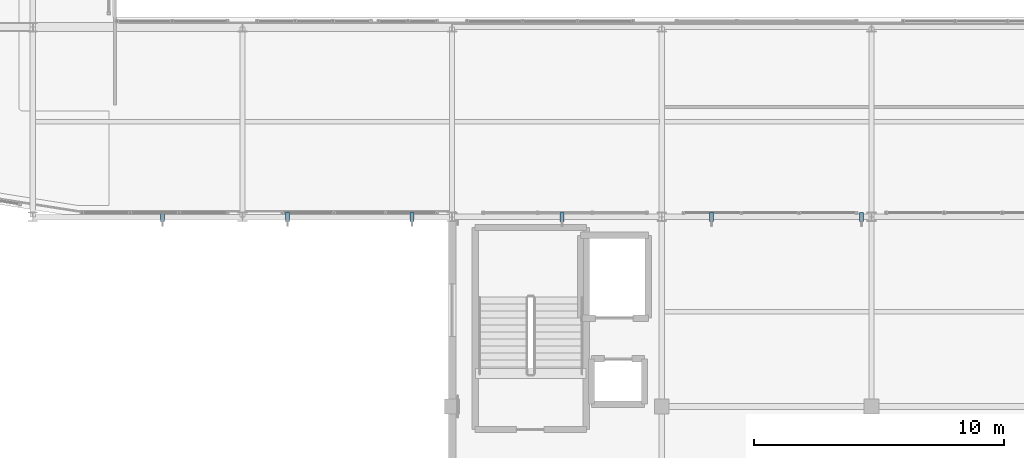
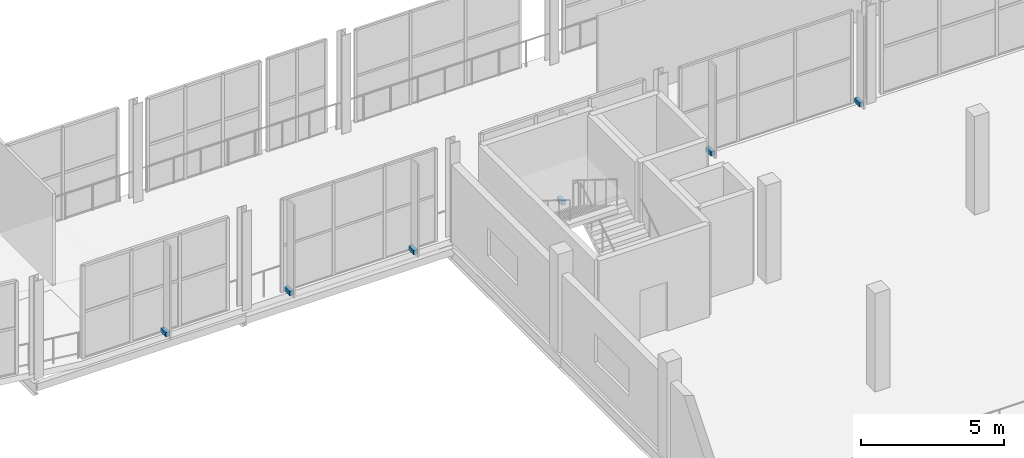
# One storey, part 201 of 217: 6 discrete accessories.
"""IFC4 building model written with IfcOpenShell, lengths in metres."""

from ifc_helpers import new_model, si_unit, direction, frame, origin, origin_2d, place, context, subcontext, project, spatial, rectangle, extrude, material, type_object, element, save


model = new_model("IFC4")

# Units and contexts
model_context = context("Model", 3, precision=1e-05, world=origin(), true_north=direction((0.0, 1.0)))
body_context = subcontext(model_context, "Body", "Model", "MODEL_VIEW")
ifc_project = project(units=[si_unit("LENGTHUNIT", "METRE"), si_unit("AREAUNIT", "SQUARE_METRE"), si_unit("VOLUMEUNIT", "CUBIC_METRE"), si_unit("PLANEANGLEUNIT", "RADIAN"), si_unit("MASSUNIT", "GRAM", prefix="KILO")], contexts=[model_context])

# Site, building, storey
site_placement = place(None, origin())
site = spatial("IfcSite", under=ifc_project, at=site_placement, CompositionType="ELEMENT")
building_placement = place(site_placement, origin())
building = spatial("IfcBuilding", under=site, at=building_placement, Name="Zuvorla Pavilion Media Centre", CompositionType="ELEMENT")
storey_placement = place(building_placement, frame((0.0, 0.0, 9.60009765625)))
storey = spatial("IfcBuildingStorey", under=building, at=storey_placement, Name="L02", CompositionType="ELEMENT", Elevation=9.60009765625)

# Discrete accessories
ifc_material = material(Name="Galvanised steel S355 fixing bracket", Category="steel")
discrete_accessory_type = type_object("IfcDiscreteAccessoryType", Name="ACC-BRK-STL", PredefinedType="BRACKET", material=ifc_material)
for number, where, z_axis, x_axis, name in (
    (1, (30.0, 44.0, -0.01025390625), (0.0, 0.0, 1.0), (1.0, 0.0, 0.0), "L02 brise-soleil bracket 1"),
    (2, (35.0, 44.0, -0.01025390625), (0.0, 0.0, 1.0), (1.0, 0.0, 0.0), "L02 brise-soleil bracket 2"),
    (3, (40.0, 44.0, -0.01025390625), (0.0, 0.0, 1.0), (1.0, 0.0, 0.0), "L02 brise-soleil bracket 3"),
    (4, (46.0, 44.0, -0.01025390625), (0.0, 0.0, 1.0), (1.0, 0.0, 0.0), "L02 brise-soleil bracket 4"),
    (5, (52.0, 44.0, -0.01025390625), (0.0, 0.0, 1.0), (1.0, 0.0, 0.0), "L02 brise-soleil bracket 5"),
    (6, (58.0, 44.0, -0.01025390625), (0.0, 0.0, 1.0), (1.0, 0.0, 0.0), "L02 brise-soleil bracket 6"),
):
    element("IfcDiscreteAccessory", number, at=place(storey_placement, frame(where, z_axis=z_axis, x_axis=x_axis)), inside=storey, type_object=discrete_accessory_type, Name=name, PredefinedType="BRACKET", context=body_context, shape_type="SweptSolid", body=[
        extrude(rectangle(XDim=0.159912109375, YDim=0.360107421875, at=origin_2d()), origin(), (0.0, 0.0, 1.0), 0.179931640625),
    ])

save(model, "model.ifc")
